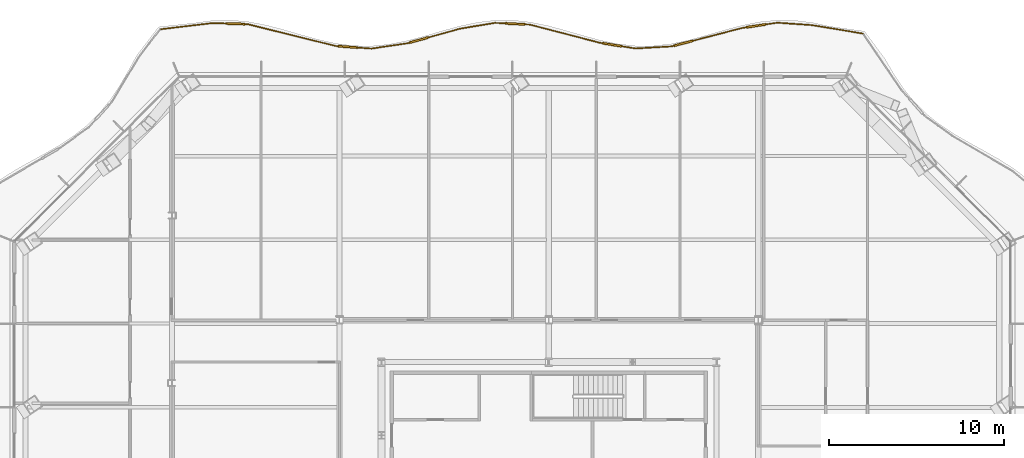
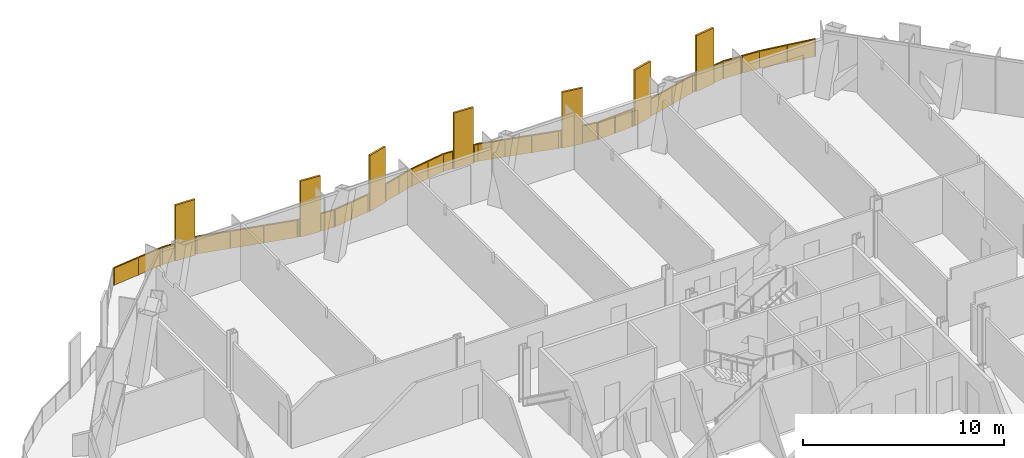
# One storey, part 21 of 22: 1 railing.
"""IFC4 building model written with IfcOpenShell, lengths in metres."""

from ifc_helpers import new_model, si_unit, direction, frame, origin, origin_2d, place, context, subcontext, project, spatial, polyline, rectangle, outline, extrude, material, type_object, element, save


model = new_model("IFC4")

# Units and contexts
model_context = context("Model", 3, precision=1e-05, world=origin(), true_north=direction((0.0, 1.0)))
body_context = subcontext(model_context, "Body", "Model", "MODEL_VIEW")
ifc_project = project(units=[si_unit("LENGTHUNIT", "METRE"), si_unit("AREAUNIT", "SQUARE_METRE"), si_unit("VOLUMEUNIT", "CUBIC_METRE"), si_unit("PLANEANGLEUNIT", "RADIAN"), si_unit("MASSUNIT", "GRAM", prefix="KILO")], contexts=[model_context])

# Site, building, storey
site_placement = place(None, origin())
site = spatial("IfcSite", under=ifc_project, at=site_placement, CompositionType="ELEMENT")
building_placement = place(site_placement, origin())
building = spatial("IfcBuilding", under=site, at=building_placement, Name="Cairn Pilgrim Tower", CompositionType="ELEMENT")
storey_placement = place(building_placement, frame((0.0, 0.0, 105.0)))
storey = spatial("IfcBuildingStorey", under=building, at=storey_placement, Name="L25", CompositionType="ELEMENT", Elevation=105.0)

# Railing
ifc_material = material(Name="Bronze anodised aluminium rail, posts and fin screens with laminated glass infill", Category="aluminium")
railing_type = type_object("IfcRailingType", Name="BALCONY GUARD WITH FIN SCREENS", PredefinedType="GUARDRAIL", material=ifc_material)
railing_placement = place(storey_placement, frame((25.199951171875, 29.624755859375, 0.0)))
element("IfcRailing", 1, at=railing_placement, inside=storey, type_object=railing_type, Name="Balcony guard BGF-5 with fin screens", PredefinedType="GUARDRAIL", context=body_context, shape_type="SweptSolid", body=[
    extrude(rectangle(XDim=0.050048828125, YDim=0.050048828125, at=origin_2d()), frame((0.0, 0.0, 1.0751953125), z_axis=(-0.986436163468, 0.164145348406, 0.0), x_axis=(-0.164145348406, -0.986436163468, 0.0)), (0.0, 0.0, 1.0), 2.9658203125),
    extrude(rectangle(XDim=0.050048828125, YDim=0.050048828125, at=origin_2d()), frame((-2.925537109375, 0.48681640625, 1.0751953125), z_axis=(-0.997649337591, 0.068525901702, 0.0), x_axis=(-0.068525901702, -0.997649337591, 0.0)), (0.0, 0.0, 1.0), 2.002197265625),
    extrude(rectangle(XDim=1.10009765625, YDim=0.110107421875, at=origin_2d()), frame((-6.124755859375, 0.443359375, 0.0), z_axis=(0.0, 0.0, 1.0), x_axis=(-0.988880412289, -0.148712911984, 0.0)), (0.0, 0.0, 1.0), 3.39990234375),
    extrude(rectangle(XDim=0.050048828125, YDim=0.050048828125, at=origin_2d()), frame((-4.923095703125, 0.6240234375, 1.0751953125), z_axis=(-0.988880412289, -0.148712911984, 0.0), x_axis=(0.148712911984, -0.988880412289, 0.0)), (0.0, 0.0, 1.0), 0.6650390625),
    extrude(rectangle(XDim=0.050048828125, YDim=0.050048828125, at=origin_2d()), frame((-6.66845703125, 0.361572265625, 1.0751953125), z_axis=(-0.988880412289, -0.148712911984, 0.0), x_axis=(0.148712911984, -0.988880412289, 0.0)), (0.0, 0.0, 1.0), 0.254150390625),
    extrude(rectangle(XDim=1.10009765625, YDim=0.110107421875, at=origin_2d()), frame((-10.291259765625, -0.55517578125, 0.0), z_axis=(0.0, 0.0, 1.0), x_axis=(-0.967663728841, -0.252243746972, 0.0)), (0.0, 0.0, 1.0), 3.39990234375),
    extrude(rectangle(XDim=0.050048828125, YDim=0.050048828125, at=origin_2d()), frame((-6.919921875, 0.32373046875, 1.0751953125), z_axis=(-0.967663728841, -0.252243746972, 0.0), x_axis=(0.252243746972, -0.967663728841, 0.0)), (0.0, 0.0, 1.0), 2.93408203125),
    extrude(rectangle(XDim=0.050048828125, YDim=0.050048828125, at=origin_2d()), frame((-10.823486328125, -0.69384765625, 1.0751953125), z_axis=(-0.967663728841, -0.252243746972, 0.0), x_axis=(0.252243746972, -0.967663728841, 0.0)), (0.0, 0.0, 1.0), 0.150146484375),
    extrude(rectangle(XDim=0.050048828125, YDim=0.050048828125, at=origin_2d()), frame((-10.96875, -0.731689453125, 1.0751953125), z_axis=(-0.998242281057, -0.059265068203, 0.0), x_axis=(0.059265068203, -0.998242281057, 0.0)), (0.0, 0.0, 1.0), 2.0556640625),
    extrude(rectangle(XDim=1.10009765625, YDim=0.110107421875, at=origin_2d()), frame((-14.37353515625, -0.63916015625, 0.0), z_axis=(0.0, 0.0, 1.0), x_axis=(-0.987691127544, 0.156416867923, 0.0)), (0.0, 0.0, 1.0), 3.39990234375),
    extrude(rectangle(XDim=0.050048828125, YDim=0.050048828125, at=origin_2d()), frame((-13.020751953125, -0.853515625, 1.0751953125), z_axis=(-0.987691127544, 0.156416867923, 0.0), x_axis=(-0.156416867923, -0.987691127544, 0.0)), (0.0, 0.0, 1.0), 0.81982421875),
    extrude(rectangle(XDim=0.050048828125, YDim=0.050048828125, at=origin_2d()), frame((-14.9169921875, -0.55322265625, 1.0751953125), z_axis=(-0.987691127544, 0.156416867923, 0.0), x_axis=(-0.156416867923, -0.987691127544, 0.0)), (0.0, 0.0, 1.0), 0.14990234375),
    extrude(rectangle(XDim=0.050048828125, YDim=0.050048828125, at=origin_2d()), frame((-15.06494140625, -0.52978515625, 1.0751953125), z_axis=(-0.968043264161, 0.250783250461, 0.0), x_axis=(-0.250783250461, -0.968043264161, 0.0)), (0.0, 0.0, 1.0), 4.167724609375),
    extrude(rectangle(XDim=1.10009765625, YDim=0.110107421875, at=origin_2d()), frame((-19.935546875, 0.55712890625, 0.0), z_axis=(0.0, 0.0, 1.0), x_axis=(-0.998748974594, 0.050004857238, 0.0)), (0.0, 0.0, 1.0), 3.39990234375),
    extrude(rectangle(XDim=0.050048828125, YDim=0.050048828125, at=origin_2d()), frame((-19.099365234375, 0.515380859375, 1.0751953125), z_axis=(-0.998748974594, 0.050004857238, 0.0), x_axis=(-0.050004857238, -0.998748974594, 0.0)), (0.0, 0.0, 1.0), 0.287353515625),
    extrude(rectangle(XDim=0.050048828125, YDim=0.050048828125, at=origin_2d()), frame((-20.48486328125, 0.584716796875, 1.0751953125), z_axis=(-0.998748974594, 0.050004857238, 0.0), x_axis=(-0.050004857238, -0.998748974594, 0.0)), (0.0, 0.0, 1.0), 0.604736328125),
    extrude(rectangle(XDim=0.050048828125, YDim=0.050048828125, at=origin_2d()), frame((-21.0888671875, 0.614990234375, 1.0751953125), z_axis=(-0.986462275473, -0.163988350403, 0.0), x_axis=(0.163988350403, -0.986462275473, 0.0)), (0.0, 0.0, 1.0), 2.024658203125),
    extrude(rectangle(XDim=1.10009765625, YDim=0.110107421875, at=origin_2d()), frame((-25.444580078125, -0.370849609375, 0.0), z_axis=(0.0, 0.0, 1.0), x_axis=(-0.963654476424, -0.267151736038, 0.0)), (0.0, 0.0, 1.0), 3.39990234375),
    extrude(rectangle(XDim=0.050048828125, YDim=0.050048828125, at=origin_2d()), frame((-23.086181640625, 0.282958984375, 1.0751953125), z_axis=(-0.963654476424, -0.267151736038, 0.0), x_axis=(0.267151736038, -0.963654476424, 0.0)), (0.0, 0.0, 1.0), 1.8974609375),
    extrude(rectangle(XDim=0.050048828125, YDim=0.050048828125, at=origin_2d()), frame((-25.974609375, -0.517822265625, 1.0751953125), z_axis=(-0.963654476424, -0.267151736038, 0.0), x_axis=(0.267151736038, -0.963654476424, 0.0)), (0.0, 0.0, 1.0), 0.14990234375),
    extrude(rectangle(XDim=0.050048828125, YDim=0.050048828125, at=origin_2d()), frame((-26.119140625, -0.557861328125, 1.0751953125), z_axis=(-0.989319122066, -0.145765821493, 0.0), x_axis=(0.145765821493, -0.989319122066, 0.0)), (0.0, 0.0, 1.0), 2.068359375),
    extrude(rectangle(XDim=1.10009765625, YDim=0.110107421875, at=origin_2d()), frame((-29.517822265625, -0.76171875, 0.0), z_axis=(0.0, 0.0, 1.0), x_axis=(-0.997406588127, 0.071972897405, 0.0)), (0.0, 0.0, 1.0), 3.39990234375),
    extrude(rectangle(XDim=0.050048828125, YDim=0.050048828125, at=origin_2d()), frame((-28.16552734375, -0.859375, 1.0751953125), z_axis=(-0.997406588127, 0.071972897405, 0.0), x_axis=(-0.071972897405, -0.997406588127, 0.0)), (0.0, 0.0, 1.0), 0.8056640625),
    extrude(rectangle(XDim=0.050048828125, YDim=0.050048828125, at=origin_2d()), frame((-30.06640625, -0.72216796875, 1.0751953125), z_axis=(-0.997406588127, 0.071972897405, 0.0), x_axis=(-0.071972897405, -0.997406588127, 0.0)), (0.0, 0.0, 1.0), 0.14990234375),
    extrude(rectangle(XDim=0.050048828125, YDim=0.050048828125, at=origin_2d()), frame((-30.2158203125, -0.71142578125, 1.0751953125), z_axis=(-0.970626380431, 0.24059183197, 0.0), x_axis=(-0.24059183197, -0.970626380431, 0.0)), (0.0, 0.0, 1.0), 5.20263671875),
    extrude(rectangle(XDim=1.10009765625, YDim=0.110107421875, at=origin_2d()), frame((-35.965087890625, 0.562255859375, 0.0), z_axis=(0.0, 0.0, 1.0), x_axis=(-0.99950908655, 0.031330271355, 0.0)), (0.0, 0.0, 1.0), 3.39990234375),
    extrude(rectangle(XDim=0.050048828125, YDim=0.050048828125, at=origin_2d()), frame((-35.265625, 0.540283203125, 1.0751953125), z_axis=(-0.99950908655, 0.031330271355, 0.0), x_axis=(-0.031330271355, -0.99950908655, 0.0)), (0.0, 0.0, 1.0), 0.14990234375),
    extrude(rectangle(XDim=0.050048828125, YDim=0.050048828125, at=origin_2d()), frame((-36.514892578125, 0.579345703125, 1.0751953125), z_axis=(-0.99950908655, 0.031330271355, 0.0), x_axis=(-0.031330271355, -0.99950908655, 0.0)), (0.0, 0.0, 1.0), 0.7451171875),
    extrude(rectangle(XDim=0.050048828125, YDim=0.050048828125, at=origin_2d()), frame((-37.259521484375, 0.602783203125, 1.0751953125), z_axis=(-0.99308459571, -0.117400961508, 0.0), x_axis=(0.117400961508, -0.99308459571, 0.0)), (0.0, 0.0, 1.0), 2.986328125),
    extrude(rectangle(XDim=0.050048828125, YDim=0.050048828125, at=origin_2d()), origin(), (0.0, 0.0, 1.0), 1.050048828125),
    extrude(rectangle(XDim=0.050048828125, YDim=0.050048828125, at=origin_2d()), frame((-1.462890625, 0.243408203125, 0.0)), (0.0, 0.0, 1.0), 1.050048828125),
    extrude(rectangle(XDim=0.050048828125, YDim=0.050048828125, at=origin_2d()), frame((-2.925537109375, 0.48681640625, 0.0)), (0.0, 0.0, 1.0), 1.050048828125),
    extrude(rectangle(XDim=0.050048828125, YDim=0.050048828125, at=origin_2d()), frame((-3.92431640625, 0.555419921875, 0.0)), (0.0, 0.0, 1.0), 1.050048828125),
    extrude(rectangle(XDim=0.050048828125, YDim=0.050048828125, at=origin_2d()), frame((-4.923095703125, 0.6240234375, 0.0)), (0.0, 0.0, 1.0), 1.050048828125),
    extrude(rectangle(XDim=0.050048828125, YDim=0.050048828125, at=origin_2d()), frame((-5.555908203125, 0.52880859375, 0.0)), (0.0, 0.0, 1.0), 1.050048828125),
    extrude(rectangle(XDim=0.050048828125, YDim=0.050048828125, at=origin_2d()), frame((-6.693359375, 0.35791015625, 0.0)), (0.0, 0.0, 1.0), 1.050048828125),
    extrude(rectangle(XDim=0.050048828125, YDim=0.050048828125, at=origin_2d()), frame((-6.919921875, 0.32373046875, 0.0)), (0.0, 0.0, 1.0), 1.050048828125),
    extrude(rectangle(XDim=0.050048828125, YDim=0.050048828125, at=origin_2d()), frame((-8.327392578125, -0.043212890625, 0.0)), (0.0, 0.0, 1.0), 1.050048828125),
    extrude(rectangle(XDim=0.050048828125, YDim=0.050048828125, at=origin_2d()), frame((-9.73486328125, -0.41015625, 0.0)), (0.0, 0.0, 1.0), 1.050048828125),
    extrude(rectangle(XDim=0.050048828125, YDim=0.050048828125, at=origin_2d()), frame((-10.847900390625, -0.7001953125, 0.0)), (0.0, 0.0, 1.0), 1.050048828125),
    extrude(rectangle(XDim=0.050048828125, YDim=0.050048828125, at=origin_2d()), frame((-10.96875, -0.731689453125, 0.0)), (0.0, 0.0, 1.0), 1.050048828125),
    extrude(rectangle(XDim=0.050048828125, YDim=0.050048828125, at=origin_2d()), frame((-11.99462890625, -0.79248046875, 0.0)), (0.0, 0.0, 1.0), 1.050048828125),
    extrude(rectangle(XDim=0.050048828125, YDim=0.050048828125, at=origin_2d()), frame((-13.020751953125, -0.853515625, 0.0)), (0.0, 0.0, 1.0), 1.050048828125),
    extrude(rectangle(XDim=0.050048828125, YDim=0.050048828125, at=origin_2d()), frame((-13.8056640625, -0.729248046875, 0.0)), (0.0, 0.0, 1.0), 1.050048828125),
    extrude(rectangle(XDim=0.050048828125, YDim=0.050048828125, at=origin_2d()), frame((-14.941650390625, -0.54931640625, 0.0)), (0.0, 0.0, 1.0), 1.050048828125),
    extrude(rectangle(XDim=0.050048828125, YDim=0.050048828125, at=origin_2d()), frame((-15.06494140625, -0.52978515625, 0.0)), (0.0, 0.0, 1.0), 1.050048828125),
    extrude(rectangle(XDim=0.050048828125, YDim=0.050048828125, at=origin_2d()), frame((-16.40966796875, -0.181396484375, 0.0)), (0.0, 0.0, 1.0), 1.050048828125),
    extrude(rectangle(XDim=0.050048828125, YDim=0.050048828125, at=origin_2d()), frame((-17.754638671875, 0.1669921875, 0.0)), (0.0, 0.0, 1.0), 1.050048828125),
    extrude(rectangle(XDim=0.050048828125, YDim=0.050048828125, at=origin_2d()), frame((-19.099365234375, 0.515380859375, 0.0)), (0.0, 0.0, 1.0), 1.050048828125),
    extrude(rectangle(XDim=0.050048828125, YDim=0.050048828125, at=origin_2d()), frame((-19.361328125, 0.528564453125, 0.0)), (0.0, 0.0, 1.0), 1.050048828125),
    extrude(rectangle(XDim=0.050048828125, YDim=0.050048828125, at=origin_2d()), frame((-20.510009765625, 0.5859375, 0.0)), (0.0, 0.0, 1.0), 1.050048828125),
    extrude(rectangle(XDim=0.050048828125, YDim=0.050048828125, at=origin_2d()), frame((-21.0888671875, 0.614990234375, 0.0)), (0.0, 0.0, 1.0), 1.050048828125),
    extrude(rectangle(XDim=0.050048828125, YDim=0.050048828125, at=origin_2d()), frame((-22.08740234375, 0.448974609375, 0.0)), (0.0, 0.0, 1.0), 1.050048828125),
    extrude(rectangle(XDim=0.050048828125, YDim=0.050048828125, at=origin_2d()), frame((-23.086181640625, 0.282958984375, 0.0)), (0.0, 0.0, 1.0), 1.050048828125),
    extrude(rectangle(XDim=0.050048828125, YDim=0.050048828125, at=origin_2d()), frame((-23.98828125, 0.032958984375, 0.0)), (0.0, 0.0, 1.0), 1.050048828125),
    extrude(rectangle(XDim=0.050048828125, YDim=0.050048828125, at=origin_2d()), frame((-24.890380859375, -0.21728515625, 0.0)), (0.0, 0.0, 1.0), 1.050048828125),
    extrude(rectangle(XDim=0.050048828125, YDim=0.050048828125, at=origin_2d()), frame((-25.998779296875, -0.5244140625, 0.0)), (0.0, 0.0, 1.0), 1.050048828125),
    extrude(rectangle(XDim=0.050048828125, YDim=0.050048828125, at=origin_2d()), frame((-26.119140625, -0.557861328125, 0.0)), (0.0, 0.0, 1.0), 1.050048828125),
    extrude(rectangle(XDim=0.050048828125, YDim=0.050048828125, at=origin_2d()), frame((-27.142333984375, -0.70849609375, 0.0)), (0.0, 0.0, 1.0), 1.050048828125),
    extrude(rectangle(XDim=0.050048828125, YDim=0.050048828125, at=origin_2d()), frame((-28.16552734375, -0.859375, 0.0)), (0.0, 0.0, 1.0), 1.050048828125),
    extrude(rectangle(XDim=0.050048828125, YDim=0.050048828125, at=origin_2d()), frame((-28.944091796875, -0.80322265625, 0.0)), (0.0, 0.0, 1.0), 1.050048828125),
    extrude(rectangle(XDim=0.050048828125, YDim=0.050048828125, at=origin_2d()), frame((-30.09130859375, -0.720458984375, 0.0)), (0.0, 0.0, 1.0), 1.050048828125),
    extrude(rectangle(XDim=0.050048828125, YDim=0.050048828125, at=origin_2d()), frame((-30.2158203125, -0.71142578125, 0.0)), (0.0, 0.0, 1.0), 1.050048828125),
    extrude(rectangle(XDim=0.050048828125, YDim=0.050048828125, at=origin_2d()), frame((-31.899169921875, -0.294189453125, 0.0)), (0.0, 0.0, 1.0), 1.050048828125),
    extrude(rectangle(XDim=0.050048828125, YDim=0.050048828125, at=origin_2d()), frame((-33.582275390625, 0.123046875, 0.0)), (0.0, 0.0, 1.0), 1.050048828125),
    extrude(rectangle(XDim=0.050048828125, YDim=0.050048828125, at=origin_2d()), frame((-35.265625, 0.540283203125, 0.0)), (0.0, 0.0, 1.0), 1.050048828125),
    extrude(rectangle(XDim=0.050048828125, YDim=0.050048828125, at=origin_2d()), frame((-35.390380859375, 0.544189453125, 0.0)), (0.0, 0.0, 1.0), 1.050048828125),
    extrude(rectangle(XDim=0.050048828125, YDim=0.050048828125, at=origin_2d()), frame((-36.539794921875, 0.580322265625, 0.0)), (0.0, 0.0, 1.0), 1.050048828125),
    extrude(rectangle(XDim=0.050048828125, YDim=0.050048828125, at=origin_2d()), frame((-37.259521484375, 0.602783203125, 0.0)), (0.0, 0.0, 1.0), 1.050048828125),
    extrude(rectangle(XDim=0.050048828125, YDim=0.050048828125, at=origin_2d()), frame((-38.7421875, 0.427490234375, 0.0)), (0.0, 0.0, 1.0), 1.050048828125),
    extrude(rectangle(XDim=0.050048828125, YDim=0.050048828125, at=origin_2d()), frame((-40.22509765625, 0.252197265625, 0.0)), (0.0, 0.0, 1.0), 1.050048828125),
    extrude(outline(polyline([(0.02490234375, 0.0), (1.457763671875, 0.0), (1.457763671875, 1.050048828125), (0.02490234375, 1.050048828125), (0.02490234375, 0.0)])), frame((-0.0009765625, -0.005859375, 0.0), z_axis=(0.164145348406, 0.986436163468, 0.0), x_axis=(-0.986436163468, 0.164145348406, 0.0)), (0.0, 0.0, 1.0), 0.011962890625),
    extrude(outline(polyline([(0.02490234375, 0.0), (1.457763671875, 0.0), (1.457763671875, 1.050048828125), (0.02490234375, 1.050048828125), (0.02490234375, 0.0)])), frame((-1.4638671875, 0.237548828125, 0.0), z_axis=(0.164145348406, 0.986436163468, 0.0), x_axis=(-0.986436163468, 0.164145348406, 0.0)), (0.0, 0.0, 1.0), 0.011962890625),
    extrude(outline(polyline([(0.02490234375, 0.0), (0.97607421875, 0.0), (0.97607421875, 1.050048828125), (0.02490234375, 1.050048828125), (0.02490234375, 0.0)])), frame((-2.926025390625, 0.48095703125, 0.0), z_axis=(0.068525901702, 0.997649337591, 0.0), x_axis=(-0.997649337591, 0.068525901702, 0.0)), (0.0, 0.0, 1.0), 0.011962890625),
    extrude(outline(polyline([(0.02490234375, 0.0), (0.97607421875, 0.0), (0.97607421875, 1.050048828125), (0.02490234375, 1.050048828125), (0.02490234375, 0.0)])), frame((-3.9248046875, 0.549560546875, 0.0), z_axis=(0.068525901702, 0.997649337591, 0.0), x_axis=(-0.997649337591, 0.068525901702, 0.0)), (0.0, 0.0, 1.0), 0.011962890625),
    extrude(outline(polyline([(0.02490234375, 0.0), (0.614990234375, 0.0), (0.614990234375, 1.050048828125), (0.02490234375, 1.050048828125), (0.02490234375, 0.0)])), frame((-4.922119140625, 0.6181640625, 0.0), z_axis=(-0.148712911984, 0.988880412289, 0.0), x_axis=(-0.988880412289, -0.148712911984, 0.0)), (0.0, 0.0, 1.0), 0.011962890625),
    extrude(outline(polyline([(0.02490234375, 0.0), (0.2041015625, 0.0), (0.2041015625, 1.050048828125), (0.02490234375, 1.050048828125), (0.02490234375, 0.0)])), frame((-6.6923828125, 0.351806640625, 0.0), z_axis=(-0.148712911984, 0.988880412289, 0.0), x_axis=(-0.988880412289, -0.148712911984, 0.0)), (0.0, 0.0, 1.0), 0.011962890625),
    extrude(outline(polyline([(0.02490234375, 0.0), (1.429443359375, 0.0), (1.429443359375, 1.050048828125), (0.02490234375, 1.050048828125), (0.02490234375, 0.0)])), frame((-6.91845703125, 0.31787109375, 0.0), z_axis=(-0.252243746972, 0.967663728841, 0.0), x_axis=(-0.967663728841, -0.252243746972, 0.0)), (0.0, 0.0, 1.0), 0.011962890625),
    extrude(outline(polyline([(0.02490234375, 0.0), (1.429443359375, 0.0), (1.429443359375, 1.050048828125), (0.02490234375, 1.050048828125), (0.02490234375, 0.0)])), frame((-8.325927734375, -0.049072265625, 0.0), z_axis=(-0.252243746972, 0.967663728841, 0.0), x_axis=(-0.967663728841, -0.252243746972, 0.0)), (0.0, 0.0, 1.0), 0.011962890625),
    extrude(outline(polyline([(0.02490234375, 0.0), (0.10009765625, 0.0), (0.10009765625, 1.050048828125), (0.02490234375, 1.050048828125), (0.02490234375, 0.0)])), frame((-10.84619140625, -0.7060546875, 0.0), z_axis=(-0.252243746972, 0.967663728841, 0.0), x_axis=(-0.967663728841, -0.252243746972, 0.0)), (0.0, 0.0, 1.0), 0.011962890625),
    extrude(outline(polyline([(0.02490234375, 0.0), (1.002685546875, 0.0), (1.002685546875, 1.050048828125), (0.02490234375, 1.050048828125), (0.02490234375, 0.0)])), frame((-10.968505859375, -0.737548828125, 0.0), z_axis=(-0.059265068203, 0.998242281057, 0.0), x_axis=(-0.998242281057, -0.059265068203, 0.0)), (0.0, 0.0, 1.0), 0.011962890625),
    extrude(outline(polyline([(0.02490234375, 0.0), (1.002685546875, 0.0), (1.002685546875, 1.050048828125), (0.02490234375, 1.050048828125), (0.02490234375, 0.0)])), frame((-11.994384765625, -0.798583984375, 0.0), z_axis=(-0.059265068203, 0.998242281057, 0.0), x_axis=(-0.998242281057, -0.059265068203, 0.0)), (0.0, 0.0, 1.0), 0.011962890625),
    extrude(outline(polyline([(0.02490234375, 0.0), (0.769775390625, 0.0), (0.769775390625, 1.050048828125), (0.02490234375, 1.050048828125), (0.02490234375, 0.0)])), frame((-13.021728515625, -0.859375, 0.0), z_axis=(0.156416867923, 0.987691127544, 0.0), x_axis=(-0.987691127544, 0.156416867923, 0.0)), (0.0, 0.0, 1.0), 0.011962890625),
    extrude(outline(polyline([(0.02490234375, 0.0), (0.099853515625, 0.0), (0.099853515625, 1.050048828125), (0.02490234375, 1.050048828125), (0.02490234375, 0.0)])), frame((-14.942626953125, -0.55517578125, 0.0), z_axis=(0.156416867923, 0.987691127544, 0.0), x_axis=(-0.987691127544, 0.156416867923, 0.0)), (0.0, 0.0, 1.0), 0.011962890625),
    extrude(outline(polyline([(0.02490234375, 0.0), (1.3642578125, 0.0), (1.3642578125, 1.050048828125), (0.02490234375, 1.050048828125), (0.02490234375, 0.0)])), frame((-15.06640625, -0.53564453125, 0.0), z_axis=(0.250783250461, 0.968043264161, 0.0), x_axis=(-0.968043264161, 0.250783250461, 0.0)), (0.0, 0.0, 1.0), 0.011962890625),
    extrude(outline(polyline([(0.02490234375, 0.0), (1.3642578125, 0.0), (1.3642578125, 1.050048828125), (0.02490234375, 1.050048828125), (0.02490234375, 0.0)])), frame((-16.4111328125, -0.187255859375, 0.0), z_axis=(0.250783250461, 0.968043264161, 0.0), x_axis=(-0.968043264161, 0.250783250461, 0.0)), (0.0, 0.0, 1.0), 0.011962890625),
    extrude(outline(polyline([(0.02490234375, 0.0), (1.3642578125, 0.0), (1.3642578125, 1.050048828125), (0.02490234375, 1.050048828125), (0.02490234375, 0.0)])), frame((-17.756103515625, 0.1611328125, 0.0), z_axis=(0.250783250461, 0.968043264161, 0.0), x_axis=(-0.968043264161, 0.250783250461, 0.0)), (0.0, 0.0, 1.0), 0.011962890625),
    extrude(outline(polyline([(0.02490234375, 0.0), (0.2373046875, 0.0), (0.2373046875, 1.050048828125), (0.02490234375, 1.050048828125), (0.02490234375, 0.0)])), frame((-19.099609375, 0.509521484375, 0.0), z_axis=(0.050004857238, 0.998748974594, 0.0), x_axis=(-0.998748974594, 0.050004857238, 0.0)), (0.0, 0.0, 1.0), 0.011962890625),
    extrude(outline(polyline([(0.02490234375, 0.0), (0.5546875, 0.0), (0.5546875, 1.050048828125), (0.02490234375, 1.050048828125), (0.02490234375, 0.0)])), frame((-20.51025390625, 0.580078125, 0.0), z_axis=(0.050004857238, 0.998748974594, 0.0), x_axis=(-0.998748974594, 0.050004857238, 0.0)), (0.0, 0.0, 1.0), 0.011962890625),
    extrude(outline(polyline([(0.02490234375, 0.0), (0.9873046875, 0.0), (0.9873046875, 1.050048828125), (0.02490234375, 1.050048828125), (0.02490234375, 0.0)])), frame((-21.087890625, 0.609130859375, 0.0), z_axis=(-0.163988350403, 0.986462275473, 0.0), x_axis=(-0.986462275473, -0.163988350403, 0.0)), (0.0, 0.0, 1.0), 0.011962890625),
    extrude(outline(polyline([(0.02490234375, 0.0), (0.9873046875, 0.0), (0.9873046875, 1.050048828125), (0.02490234375, 1.050048828125), (0.02490234375, 0.0)])), frame((-22.08642578125, 0.443115234375, 0.0), z_axis=(-0.163988350403, 0.986462275473, 0.0), x_axis=(-0.986462275473, -0.163988350403, 0.0)), (0.0, 0.0, 1.0), 0.011962890625),
    extrude(outline(polyline([(0.02490234375, 0.0), (0.9111328125, 0.0), (0.9111328125, 1.050048828125), (0.02490234375, 1.050048828125), (0.02490234375, 0.0)])), frame((-23.08447265625, 0.277099609375, 0.0), z_axis=(-0.267151736038, 0.963654476424, 0.0), x_axis=(-0.963654476424, -0.267151736038, 0.0)), (0.0, 0.0, 1.0), 0.011962890625),
    extrude(outline(polyline([(0.02490234375, 0.0), (0.9111328125, 0.0), (0.9111328125, 1.050048828125), (0.02490234375, 1.050048828125), (0.02490234375, 0.0)])), frame((-23.98681640625, 0.027099609375, 0.0), z_axis=(-0.267151736038, 0.963654476424, 0.0), x_axis=(-0.963654476424, -0.267151736038, 0.0)), (0.0, 0.0, 1.0), 0.011962890625),
    extrude(outline(polyline([(0.02490234375, 0.0), (0.099853515625, 0.0), (0.099853515625, 1.050048828125), (0.02490234375, 1.050048828125), (0.02490234375, 0.0)])), frame((-25.9970703125, -0.5302734375, 0.0), z_axis=(-0.267151736038, 0.963654476424, 0.0), x_axis=(-0.963654476424, -0.267151736038, 0.0)), (0.0, 0.0, 1.0), 0.011962890625),
    extrude(outline(polyline([(0.02490234375, 0.0), (1.00927734375, 0.0), (1.00927734375, 1.050048828125), (0.02490234375, 1.050048828125), (0.02490234375, 0.0)])), frame((-26.1181640625, -0.563720703125, 0.0), z_axis=(-0.145765821493, 0.989319122066, 0.0), x_axis=(-0.989319122066, -0.145765821493, 0.0)), (0.0, 0.0, 1.0), 0.011962890625),
    extrude(outline(polyline([(0.02490234375, 0.0), (1.00927734375, 0.0), (1.00927734375, 1.050048828125), (0.02490234375, 1.050048828125), (0.02490234375, 0.0)])), frame((-27.141357421875, -0.714599609375, 0.0), z_axis=(-0.145765821493, 0.989319122066, 0.0), x_axis=(-0.989319122066, -0.145765821493, 0.0)), (0.0, 0.0, 1.0), 0.011962890625),
    extrude(outline(polyline([(0.02490234375, 0.0), (0.755615234375, 0.0), (0.755615234375, 1.050048828125), (0.02490234375, 1.050048828125), (0.02490234375, 0.0)])), frame((-28.166015625, -0.865234375, 0.0), z_axis=(0.071972897405, 0.997406588127, 0.0), x_axis=(-0.997406588127, 0.071972897405, 0.0)), (0.0, 0.0, 1.0), 0.011962890625),
    extrude(outline(polyline([(0.02490234375, 0.0), (0.099853515625, 0.0), (0.099853515625, 1.050048828125), (0.02490234375, 1.050048828125), (0.02490234375, 0.0)])), frame((-30.091796875, -0.726318359375, 0.0), z_axis=(0.071972897405, 0.997406588127, 0.0), x_axis=(-0.997406588127, 0.071972897405, 0.0)), (0.0, 0.0, 1.0), 0.011962890625),
    extrude(outline(polyline([(0.02490234375, 0.0), (1.709228515625, 0.0), (1.709228515625, 1.050048828125), (0.02490234375, 1.050048828125), (0.02490234375, 0.0)])), frame((-30.21728515625, -0.71728515625, 0.0), z_axis=(0.24059183197, 0.970626380431, 0.0), x_axis=(-0.970626380431, 0.24059183197, 0.0)), (0.0, 0.0, 1.0), 0.011962890625),
    extrude(outline(polyline([(0.02490234375, 0.0), (1.709228515625, 0.0), (1.709228515625, 1.050048828125), (0.02490234375, 1.050048828125), (0.02490234375, 0.0)])), frame((-31.900634765625, -0.300048828125, 0.0), z_axis=(0.24059183197, 0.970626380431, 0.0), x_axis=(-0.970626380431, 0.24059183197, 0.0)), (0.0, 0.0, 1.0), 0.011962890625),
    extrude(outline(polyline([(0.02490234375, 0.0), (1.709228515625, 0.0), (1.709228515625, 1.050048828125), (0.02490234375, 1.050048828125), (0.02490234375, 0.0)])), frame((-33.583740234375, 0.1171875, 0.0), z_axis=(0.24059183197, 0.970626380431, 0.0), x_axis=(-0.970626380431, 0.24059183197, 0.0)), (0.0, 0.0, 1.0), 0.011962890625),
    extrude(outline(polyline([(0.02490234375, 0.0), (0.099853515625, 0.0), (0.099853515625, 1.050048828125), (0.02490234375, 1.050048828125), (0.02490234375, 0.0)])), frame((-35.265869140625, 0.534423828125, 0.0), z_axis=(0.031330271355, 0.99950908655, 0.0), x_axis=(-0.99950908655, 0.031330271355, 0.0)), (0.0, 0.0, 1.0), 0.011962890625),
    extrude(outline(polyline([(0.02490234375, 0.0), (0.695068359375, 0.0), (0.695068359375, 1.050048828125), (0.02490234375, 1.050048828125), (0.02490234375, 0.0)])), frame((-36.5400390625, 0.57421875, 0.0), z_axis=(0.031330271355, 0.99950908655, 0.0), x_axis=(-0.99950908655, 0.031330271355, 0.0)), (0.0, 0.0, 1.0), 0.011962890625),
    extrude(outline(polyline([(0.02490234375, 0.0), (1.468017578125, 0.0), (1.468017578125, 1.050048828125), (0.02490234375, 1.050048828125), (0.02490234375, 0.0)])), frame((-37.2587890625, 0.596923828125, 0.0), z_axis=(-0.117400961508, 0.99308459571, 0.0), x_axis=(-0.99308459571, -0.117400961508, 0.0)), (0.0, 0.0, 1.0), 0.011962890625),
    extrude(outline(polyline([(0.02490234375, 0.0), (1.468017578125, 0.0), (1.468017578125, 1.050048828125), (0.02490234375, 1.050048828125), (0.02490234375, 0.0)])), frame((-38.74169921875, 0.421630859375, 0.0), z_axis=(-0.117400961508, 0.99308459571, 0.0), x_axis=(-0.99308459571, -0.117400961508, 0.0)), (0.0, 0.0, 1.0), 0.011962890625),
])

save(model, "model.ifc")
